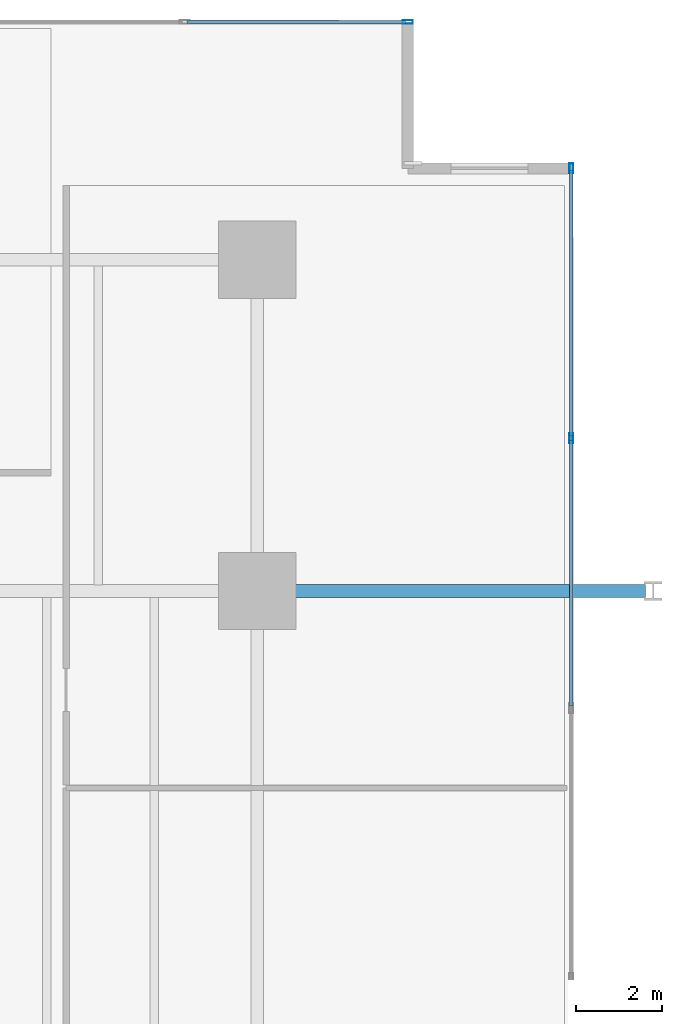
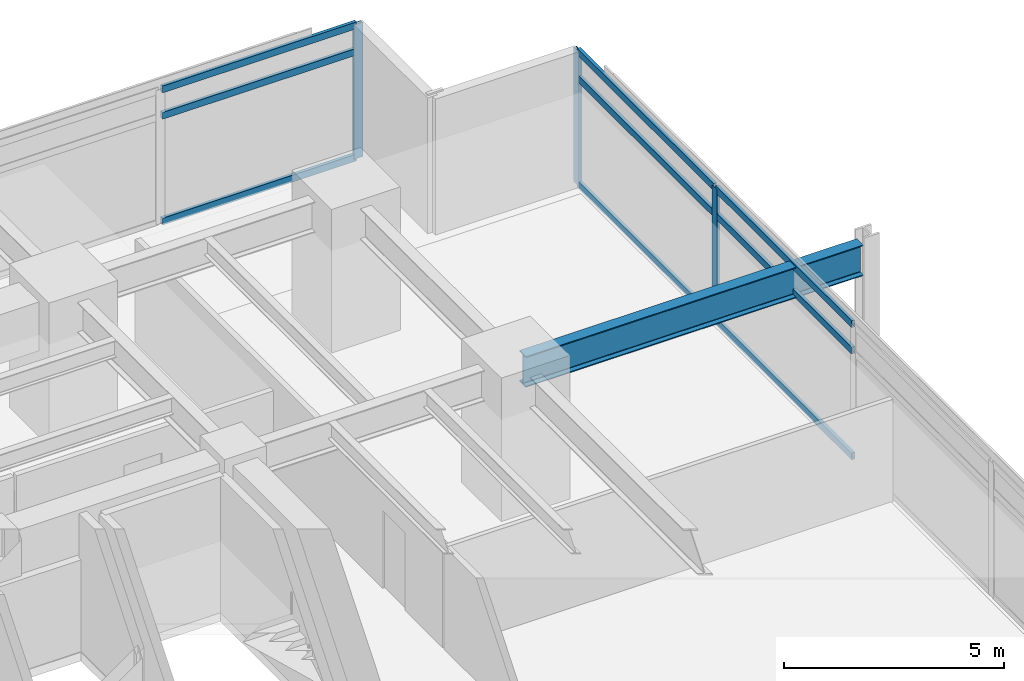
# One storey, part 12 of 23: 12 members, 1 beam, 2 elements without a shape of their own.
"""IFC4 building model written with IfcOpenShell, lengths in metres."""

from ifc_helpers import new_model, si_unit, direction, frame, origin, origin_2d, place, context, subcontext, project, spatial, hollow_rectangle, i_section, extrude, material, material_profile, profile_set, type_object, element, aggregate, save


model = new_model("IFC4")

# Units and contexts
model_context = context("Model", 3, precision=1e-05, world=origin(), true_north=direction((0.0, 1.0)))
body_context = subcontext(model_context, "Body", "Model", "MODEL_VIEW")
ifc_project = project(units=[si_unit("LENGTHUNIT", "METRE"), si_unit("AREAUNIT", "SQUARE_METRE"), si_unit("VOLUMEUNIT", "CUBIC_METRE"), si_unit("PLANEANGLEUNIT", "RADIAN"), si_unit("MASSUNIT", "GRAM", prefix="KILO")], contexts=[model_context])

# Site, building, storey
site_placement = place(None, origin())
site = spatial("IfcSite", under=ifc_project, at=site_placement, CompositionType="ELEMENT")
building_placement = place(site_placement, origin())
building = spatial("IfcBuilding", under=site, at=building_placement, Name="Kovane Verandah Tower", CompositionType="ELEMENT")
storey_placement = place(building_placement, frame((0.0, 0.0, 55.60009765625)))
storey = spatial("IfcBuildingStorey", under=building, at=storey_placement, Name="L12", CompositionType="ELEMENT", Elevation=55.60009765625)

# Beam
ifc_material_1 = material(Name="Steel S355", Category="steel")
ifc_material_profile_1 = material_profile(ifc_material_1, i_section(OverallWidth=0.293701171875, OverallDepth=0.850830078125, WebThickness=0.01611328125, FlangeThickness=0.02685546875, FilletRadius=0.017822265625, at=origin_2d()), Name="UB838x292x226")
ifc_profile_set_1 = profile_set([ifc_material_profile_1], Name="Steel S355")
beam_type = type_object("IfcBeamType", Name="BM-UB838x226", PredefinedType="BEAM", material=ifc_profile_set_1)
beam_placement = place(storey_placement, frame((58.580078125, 36.5, 3.33447265625), z_axis=(1.0, 0.0, 0.0), x_axis=(0.0, 1.0, 0.0)))
element("IfcBeam", 1, at=beam_placement, inside=storey, type_object=beam_type, Name="L12 Primary Tower Girder G-VE2", PredefinedType="BEAM", context=body_context, shape_type="SweptSolid", body=[
    extrude(i_section(OverallWidth=0.293701171875, OverallDepth=0.850830078125, WebThickness=0.01611328125, FlangeThickness=0.02685546875, FilletRadius=0.017822265625, at=origin_2d()), origin(), (0.0, 0.0, 1.0), 8.83984375),
])

# Curtain wall, members
ifc_material_2 = material(Name="Champagne Anodised Aluminium Frame with Low-E Clear Laminated Glass", Category="aluminium")
curtain_wall_type = type_object("IfcCurtainWallType", Name="CW-SYS-02-LOW", PredefinedType="NOTDEFINED", material=ifc_material_2)
curtain_wall_1_placement = place(storey_placement, origin())
curtain_wall_1 = element("IfcCurtainWall", 2, at=curtain_wall_1_placement, inside=storey, type_object=curtain_wall_type, Name="L12 E Unitised Curtain Wall", PredefinedType="NOTDEFINED")
ifc_material_3 = material(Name="Champagne Anodised Aluminium 6063-T6", Category="aluminium")
ifc_material_profile_2 = material_profile(ifc_material_3, hollow_rectangle(XDim=0.0849609375, YDim=0.22998046875, WallThickness=0.00390625, at=origin_2d()), Name="AL85x230x4")
ifc_profile_set_2 = profile_set([ifc_material_profile_2], Name="Champagne Anodised Aluminium 6063-T6")
member_type_1 = type_object("IfcMemberType", Name="CW-MUL-85x230", PredefinedType="MULLION", material=ifc_profile_set_2)
member_1_placement = place(storey_placement, frame((65.696044921875, 40.051513671875, 0.02001953125), z_axis=(0.0, 0.0, 1.0), x_axis=(1.0, 0.0, 0.0)))
member_1 = element("IfcMember", 3, at=member_1_placement, type_object=member_type_1, Name="L12 E Unitised Curtain Wall Mullion 6", PredefinedType="MULLION", context=body_context, shape_type="SweptSolid", body=[
    extrude(hollow_rectangle(XDim=0.0849609375, YDim=0.22998046875, WallThickness=0.00390625, at=origin_2d()), origin(), (0.0, 0.0, 1.0), 3.719970703125),
])
member_2_placement = place(storey_placement, frame((65.696044921875, 46.3271484375, 0.02001953125), z_axis=(0.0, 0.0, 1.0), x_axis=(1.0, 0.0, 0.0)))
member_2 = element("IfcMember", 4, at=member_2_placement, type_object=member_type_1, Name="L12 E Unitised Curtain Wall Mullion 7", PredefinedType="MULLION", context=body_context, shape_type="SweptSolid", body=[
    extrude(hollow_rectangle(XDim=0.0849609375, YDim=0.22998046875, WallThickness=0.00390625, at=origin_2d()), origin(), (0.0, 0.0, 1.0), 3.719970703125),
])

# Curtain wall, member
curtain_wall_2_placement = place(storey_placement, origin())
curtain_wall_2 = element("IfcCurtainWall", 5, at=curtain_wall_2_placement, inside=storey, type_object=curtain_wall_type, Name="L12 N Unitised Curtain Wall-1", PredefinedType="NOTDEFINED")
member_3_placement = place(storey_placement, frame((61.89599609375, 49.727294921875, 0.02001953125), z_axis=(0.0, 0.0, 1.0), x_axis=(0.0, 1.0, 0.0)))
member_3 = element("IfcMember", 6, at=member_3_placement, type_object=member_type_1, Name="L12 N Unitised Curtain Wall-1 Mullion 1", PredefinedType="MULLION", context=body_context, shape_type="SweptSolid", body=[
    extrude(hollow_rectangle(XDim=0.0849609375, YDim=0.22998046875, WallThickness=0.00390625, at=origin_2d()), origin(), (0.0, 0.0, 1.0), 3.719970703125),
])

# Member
ifc_material_profile_3 = material_profile(ifc_material_3, hollow_rectangle(XDim=0.0849609375, YDim=0.18994140625, WallThickness=0.00390625, at=origin_2d()), Name="AL85x190x4")
ifc_profile_set_3 = profile_set([ifc_material_profile_3], Name="Champagne Anodised Aluminium 6063-T6")
member_type_2 = type_object("IfcMemberType", Name="CW-TRN-85x190", PredefinedType="USERDEFINED", material=ifc_profile_set_3)
member_4_placement = place(storey_placement, frame((65.696044921875, 33.82568359375, 0.0498046875), z_axis=(0.0, 1.0, 0.0), x_axis=(-1.0, 0.0, 0.0)))
member_4 = element("IfcMember", 7, at=member_4_placement, type_object=member_type_2, Name="L12 E Unitised Curtain Wall Transom TB Bay 5", ObjectType="TRANSOM", PredefinedType="USERDEFINED", context=body_context, shape_type="SweptSolid", body=[
    extrude(hollow_rectangle(XDim=0.0849609375, YDim=0.18994140625, WallThickness=0.00390625, at=origin_2d()), origin(), (0.0, 0.0, 1.0), 6.17578125),
])

member_5_placement = place(storey_placement, frame((65.696044921875, 33.82568359375, 2.97998046875), z_axis=(0.0, 1.0, 0.0), x_axis=(-1.0, 0.0, 0.0)))
member_5 = element("IfcMember", 8, at=member_5_placement, type_object=member_type_2, Name="L12 E Unitised Curtain Wall Transom TM Bay 5", ObjectType="TRANSOM", PredefinedType="USERDEFINED", context=body_context, shape_type="SweptSolid", body=[
    extrude(hollow_rectangle(XDim=0.0849609375, YDim=0.18994140625, WallThickness=0.00390625, at=origin_2d()), origin(), (0.0, 0.0, 1.0), 6.17578125),
])

member_6_placement = place(storey_placement, frame((65.696044921875, 33.82568359375, 3.7099609375), z_axis=(0.0, 1.0, 0.0), x_axis=(-1.0, 0.0, 0.0)))
member_6 = element("IfcMember", 9, at=member_6_placement, type_object=member_type_2, Name="L12 E Unitised Curtain Wall Transom TT Bay 5", ObjectType="TRANSOM", PredefinedType="USERDEFINED", context=body_context, shape_type="SweptSolid", body=[
    extrude(hollow_rectangle(XDim=0.0849609375, YDim=0.18994140625, WallThickness=0.00390625, at=origin_2d()), origin(), (0.0, 0.0, 1.0), 6.17578125),
])

member_7_placement = place(storey_placement, frame((65.696044921875, 40.1015625, 0.0498046875), z_axis=(0.0, 1.0, 0.0), x_axis=(-1.0, 0.0, 0.0)))
member_7 = element("IfcMember", 10, at=member_7_placement, type_object=member_type_2, Name="L12 E Unitised Curtain Wall Transom TB Bay 6", ObjectType="TRANSOM", PredefinedType="USERDEFINED", context=body_context, shape_type="SweptSolid", body=[
    extrude(hollow_rectangle(XDim=0.0849609375, YDim=0.18994140625, WallThickness=0.00390625, at=origin_2d()), origin(), (0.0, 0.0, 1.0), 6.175537109375),
])

member_8_placement = place(storey_placement, frame((65.696044921875, 40.1015625, 2.97998046875), z_axis=(0.0, 1.0, 0.0), x_axis=(-1.0, 0.0, 0.0)))
member_8 = element("IfcMember", 11, at=member_8_placement, type_object=member_type_2, Name="L12 E Unitised Curtain Wall Transom TM Bay 6", ObjectType="TRANSOM", PredefinedType="USERDEFINED", context=body_context, shape_type="SweptSolid", body=[
    extrude(hollow_rectangle(XDim=0.0849609375, YDim=0.18994140625, WallThickness=0.00390625, at=origin_2d()), origin(), (0.0, 0.0, 1.0), 6.175537109375),
])

member_9_placement = place(storey_placement, frame((65.696044921875, 40.1015625, 3.7099609375), z_axis=(0.0, 1.0, 0.0), x_axis=(-1.0, 0.0, 0.0)))
member_9 = element("IfcMember", 12, at=member_9_placement, type_object=member_type_2, Name="L12 E Unitised Curtain Wall Transom TT Bay 6", ObjectType="TRANSOM", PredefinedType="USERDEFINED", context=body_context, shape_type="SweptSolid", body=[
    extrude(hollow_rectangle(XDim=0.0849609375, YDim=0.18994140625, WallThickness=0.00390625, at=origin_2d()), origin(), (0.0, 0.0, 1.0), 6.175537109375),
])

aggregate(curtain_wall_1, [member_1, member_2, member_4, member_5, member_6, member_7, member_8, member_9])

member_10_placement = place(storey_placement, frame((61.845947265625, 49.727294921875, 0.0498046875), z_axis=(-1.0, 0.0, 0.0), x_axis=(0.0, -1.0, 0.0)))
member_10 = element("IfcMember", 13, at=member_10_placement, type_object=member_type_2, Name="L12 N Unitised Curtain Wall-1 Transom TB Bay 1", ObjectType="TRANSOM", PredefinedType="USERDEFINED", context=body_context, shape_type="SweptSolid", body=[
    extrude(hollow_rectangle(XDim=0.0849609375, YDim=0.18994140625, WallThickness=0.00390625, at=origin_2d()), origin(), (0.0, 0.0, 1.0), 5.087890625),
])

member_11_placement = place(storey_placement, frame((61.845947265625, 49.727294921875, 2.97998046875), z_axis=(-1.0, 0.0, 0.0), x_axis=(0.0, -1.0, 0.0)))
member_11 = element("IfcMember", 14, at=member_11_placement, type_object=member_type_2, Name="L12 N Unitised Curtain Wall-1 Transom TM Bay 1", ObjectType="TRANSOM", PredefinedType="USERDEFINED", context=body_context, shape_type="SweptSolid", body=[
    extrude(hollow_rectangle(XDim=0.0849609375, YDim=0.18994140625, WallThickness=0.00390625, at=origin_2d()), origin(), (0.0, 0.0, 1.0), 5.087890625),
])

member_12_placement = place(storey_placement, frame((61.845947265625, 49.727294921875, 3.7099609375), z_axis=(-1.0, 0.0, 0.0), x_axis=(0.0, -1.0, 0.0)))
member_12 = element("IfcMember", 15, at=member_12_placement, type_object=member_type_2, Name="L12 N Unitised Curtain Wall-1 Transom TT Bay 1", ObjectType="TRANSOM", PredefinedType="USERDEFINED", context=body_context, shape_type="SweptSolid", body=[
    extrude(hollow_rectangle(XDim=0.0849609375, YDim=0.18994140625, WallThickness=0.00390625, at=origin_2d()), origin(), (0.0, 0.0, 1.0), 5.087890625),
])

aggregate(curtain_wall_2, [member_3, member_10, member_11, member_12])

save(model, "model.ifc")
